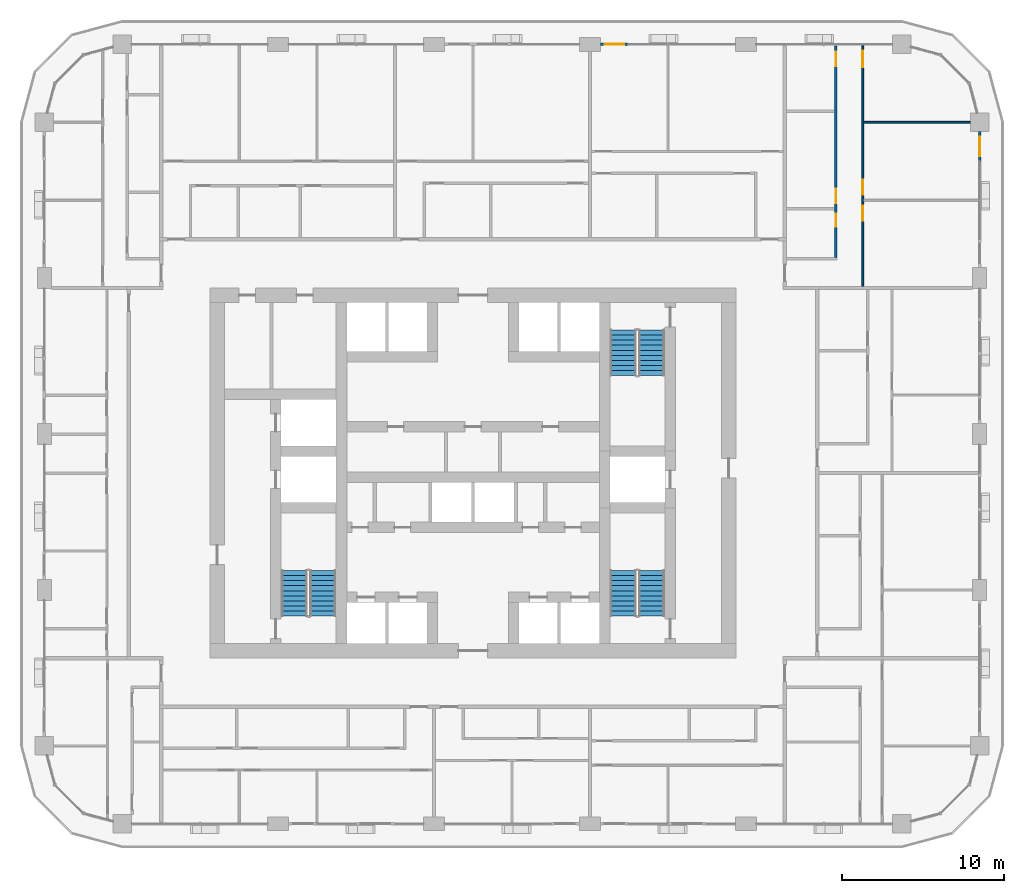
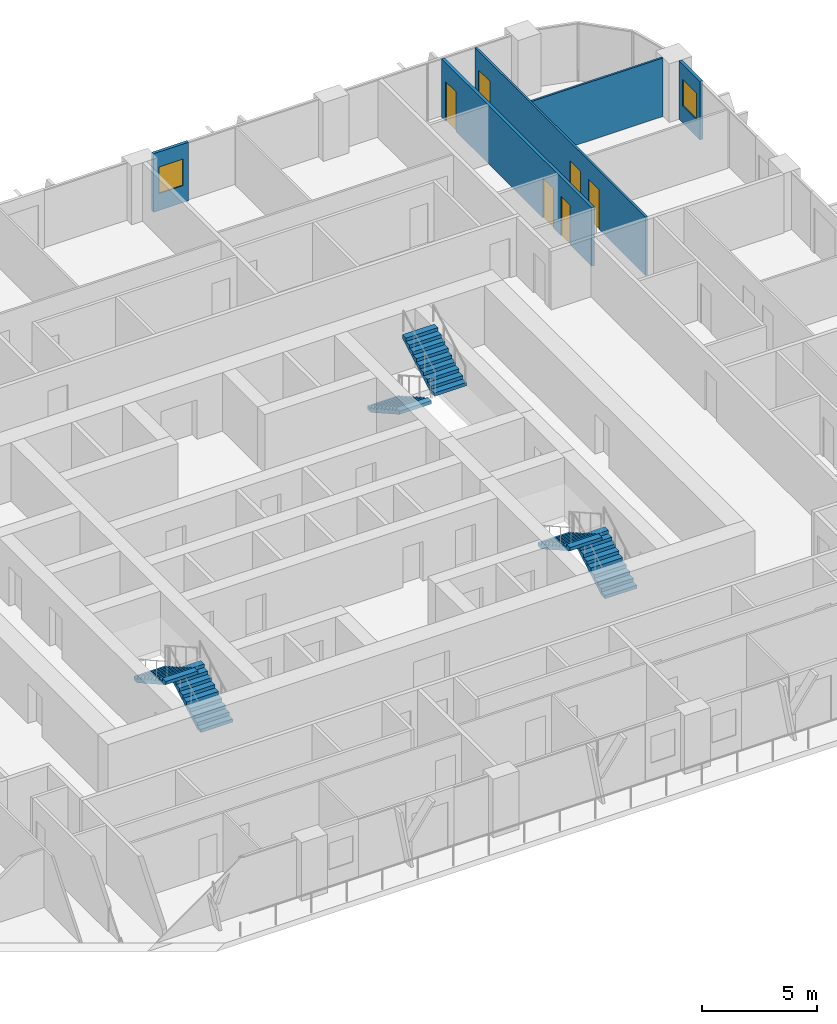
# One storey, part 15 of 21: 6 doors, 6 stair flights, 5 walls, 2 windows, 8 openings, 3 elements without a shape of their own.
"""IFC4 building model written with IfcOpenShell, lengths in metres."""

from ifc_helpers import new_model, si_unit, direction, frame, frame_2d, origin, place, context, subcontext, project, spatial, polyline, rectangle, outline, extrude, material, layer, layer_set, type_object, element, fill, aggregate, save


model = new_model("IFC4")

# Units and contexts
model_context = context("Model", 3, precision=1e-05, world=origin(), true_north=direction((0.0, 1.0)))
body_context = subcontext(model_context, "Body", "Model", "MODEL_VIEW")
ifc_project = project(units=[si_unit("LENGTHUNIT", "METRE"), si_unit("AREAUNIT", "SQUARE_METRE"), si_unit("VOLUMEUNIT", "CUBIC_METRE"), si_unit("PLANEANGLEUNIT", "RADIAN"), si_unit("MASSUNIT", "GRAM", prefix="KILO")], contexts=[model_context])

# Site, building, storey
site_placement = place(None, origin())
site = spatial("IfcSite", under=ifc_project, at=site_placement, CompositionType="ELEMENT")
building_placement = place(site_placement, origin())
building = spatial("IfcBuilding", under=site, at=building_placement, Name="Madar Terraces", CompositionType="ELEMENT")
storey_placement = place(building_placement, frame((0.0, 0.0, 110.199951171875)))
storey = spatial("IfcBuildingStorey", under=building, at=storey_placement, Name="L28", CompositionType="ELEMENT", Elevation=110.199951171875)

# Wall, opening, window
ifc_material_1 = material(Name="Aluminium composite panel, black, over insulated backing", Category="aluminium")
ifc_layer_1 = layer(ifc_material_1, 0.14990234375)
ifc_layer_set_1 = layer_set([ifc_layer_1], Name="Facade bay panel 150")
wall_type_1 = type_object("IfcWallType", Name="Facade bay panel 150", PredefinedType="SOLIDWALL", material=ifc_layer_set_1)
wall_1_placement = place(storey_placement, frame((62.39990234375, 45.60009765625, 0.0), z_axis=(0.0, 0.0, 1.0), x_axis=(0.0, 1.0, 0.0)))
wall_1 = element("IfcWall", 1, at=wall_1_placement, inside=storey, type_object=wall_type_1, Name="Facade bay panel", PredefinedType="SOLIDWALL", context=body_context, shape_type="SweptSolid", body=[
    extrude(rectangle(XDim=1.824951171875, YDim=0.14990234375, at=frame_2d((0.91259765625, 0.0))), origin(), (0.0, 0.0, 1.0), 3.10009765625),
])
opening_1_placement = place(wall_1_placement, frame((0.3125, 0.0, 0.89990234375)))
opening_1 = element("IfcOpeningElement", 2, at=opening_1_placement, cuts=wall_1, Name="Opening W1", PredefinedType="OPENING", context=body_context, shape_type="SweptSolid", body=[
    extrude(rectangle(XDim=1.199951171875, YDim=1.39990234375, at=frame_2d((0.60009765625, 0.699951171875))), frame((0.0, 0.0849609375, 0.0), z_axis=(0.0, -1.0, 0.0), x_axis=(1.0, 0.0, 0.0)), (0.0, 0.0, 1.0), 0.169921875),
])
ifc_material_2 = material(Name="Glass, clear, with black aluminium frame", Category="aluminium")
window_type = type_object("IfcWindowType", Name="Vent window 1200 x 1400", PartitioningType="SINGLE_PANEL", PredefinedType="WINDOW", material=ifc_material_2)
window_1_placement = place(opening_1_placement, origin())
window_1 = element("IfcWindow", 3, at=window_1_placement, inside=storey, type_object=window_type, Name="Operable vent window", OverallHeight=1.39990234375, OverallWidth=1.199951171875, PartitioningType="SINGLE_PANEL", PredefinedType="WINDOW", context=body_context, shape_type="SweptSolid", body=[
    extrude(rectangle(XDim=1.199951171875, YDim=1.39990234375, at=frame_2d((0.60009765625, 0.699951171875))), frame((0.0, 0.030029296875, 0.0), z_axis=(0.0, -1.0, 0.0), x_axis=(1.0, 0.0, 0.0)), (0.0, 0.0, 1.0), 0.06005859375),
])
fill(opening_1, window_1)

wall_2_placement = place(storey_placement, frame((40.800048828125, 52.800048828125, 0.0), z_axis=(0.0, 0.0, 1.0), x_axis=(-1.0, 0.0, 0.0)))
wall_2 = element("IfcWall", 4, at=wall_2_placement, inside=storey, type_object=wall_type_1, Name="Facade bay panel", PredefinedType="SOLIDWALL", context=body_context, shape_type="SweptSolid", body=[
    extrude(rectangle(XDim=1.75, YDim=0.14990234375, at=frame_2d((0.875, 0.0))), origin(), (0.0, 0.0, 1.0), 3.10009765625),
])
opening_2_placement = place(wall_2_placement, frame((0.27490234375, 0.0, 0.89990234375)))
opening_2 = element("IfcOpeningElement", 5, at=opening_2_placement, cuts=wall_2, Name="Opening W1", PredefinedType="OPENING", context=body_context, shape_type="SweptSolid", body=[
    extrude(rectangle(XDim=1.199951171875, YDim=1.39990234375, at=frame_2d((0.60009765625, 0.699951171875))), frame((0.0, 0.0849609375, 0.0), z_axis=(0.0, -1.0, 0.0), x_axis=(1.0, 0.0, 0.0)), (0.0, 0.0, 1.0), 0.169921875),
])
window_2_placement = place(opening_2_placement, origin())
window_2 = element("IfcWindow", 6, at=window_2_placement, inside=storey, type_object=window_type, Name="Operable vent window", OverallHeight=1.39990234375, OverallWidth=1.199951171875, PartitioningType="SINGLE_PANEL", PredefinedType="WINDOW", context=body_context, shape_type="SweptSolid", body=[
    extrude(rectangle(XDim=1.199951171875, YDim=1.39990234375, at=frame_2d((0.60009765625, 0.699951171875))), frame((0.0, 0.030029296875, 0.0), z_axis=(0.0, -1.0, 0.0), x_axis=(1.0, 0.0, 0.0)), (0.0, 0.0, 1.0), 0.06005859375),
])
fill(opening_2, window_2)

# Wall
ifc_material_3 = material(Name="Gypsum board on steel studs", Category="steel")
ifc_layer_2 = layer(ifc_material_3, 0.10009765625)
ifc_layer_set_2 = layer_set([ifc_layer_2], Name="Flat partition 100")
wall_type_2 = type_object("IfcWallType", Name="Flat partition 100", PredefinedType="PARTITIONING", material=ifc_layer_set_2)
wall_3_placement = place(storey_placement, frame((55.25, 48.0, 0.0), z_axis=(0.0, 0.0, 1.0), x_axis=(1.0, 0.0, 0.0)))
element("IfcWall", 7, at=wall_3_placement, inside=storey, type_object=wall_type_2, Name="Flat partition 100", PredefinedType="PARTITIONING", context=body_context, shape_type="SweptSolid", body=[
    extrude(rectangle(XDim=6.574951171875, YDim=0.10009765625, at=frame_2d((3.28759765625, 0.0))), origin(), (0.0, 0.0, 1.0), 3.10009765625),
])

# Wall, openings, doors
wall_4_placement = place(storey_placement, frame((55.199951171875, 52.699951171875, 0.0), z_axis=(0.0, 0.0, 1.0), x_axis=(0.0, -1.0, 0.0)))
wall_4 = element("IfcWall", 8, at=wall_4_placement, inside=storey, type_object=wall_type_2, Name="Flat partition 100", PredefinedType="PARTITIONING", context=body_context, shape_type="SweptSolid", body=[
    extrude(rectangle(XDim=14.800048828125, YDim=0.10009765625, at=frame_2d((7.39990234375, 0.0))), origin(), (0.0, 0.0, 1.0), 3.10009765625),
])
opening_3_placement = place(wall_4_placement, frame((9.85009765625, 0.0, 0.0)))
opening_3 = element("IfcOpeningElement", 9, at=opening_3_placement, cuts=wall_4, Name="Opening D2", PredefinedType="OPENING", context=body_context, shape_type="SweptSolid", body=[
    extrude(rectangle(XDim=0.89990234375, YDim=2.10009765625, at=frame_2d((0.449951171875, 1.050048828125))), frame((0.0, 0.06005859375, 0.0), z_axis=(0.0, -1.0, 0.0), x_axis=(1.0, 0.0, 0.0)), (0.0, 0.0, 1.0), 0.1201171875),
])
opening_4_placement = place(wall_4_placement, frame((8.25, 0.0, 0.0)))
opening_4 = element("IfcOpeningElement", 10, at=opening_4_placement, cuts=wall_4, Name="Opening D2", PredefinedType="OPENING", context=body_context, shape_type="SweptSolid", body=[
    extrude(rectangle(XDim=0.89990234375, YDim=2.10009765625, at=frame_2d((0.449951171875, 1.050048828125))), frame((0.0, 0.06005859375, 0.0), z_axis=(0.0, -1.0, 0.0), x_axis=(1.0, 0.0, 0.0)), (0.0, 0.0, 1.0), 0.1201171875),
])
opening_5_placement = place(wall_4_placement, frame((0.300048828125, 0.0, 0.0)))
opening_5 = element("IfcOpeningElement", 11, at=opening_5_placement, cuts=wall_4, Name="Opening D3", PredefinedType="OPENING", context=body_context, shape_type="SweptSolid", body=[
    extrude(rectangle(XDim=1.0, YDim=2.10009765625, at=frame_2d((0.5, 1.050048828125))), frame((0.0, 0.06005859375, 0.0), z_axis=(0.0, -1.0, 0.0), x_axis=(1.0, 0.0, 0.0)), (0.0, 0.0, 1.0), 0.1201171875),
])
ifc_material_4 = material(Name="Timber door leaf", Category="wood")
door_type_1 = type_object("IfcDoorType", Name="Flat living room door 1000", OperationType="NOTDEFINED", PredefinedType="DOOR", material=ifc_material_4)
door_1_placement = place(opening_5_placement, origin())
door_1 = element("IfcDoor", 12, at=door_1_placement, inside=storey, type_object=door_type_1, Name="Flat living room door 1000", OperationType="SINGLE_SWING_LEFT", OverallHeight=2.10009765625, OverallWidth=1.0, PredefinedType="DOOR", context=body_context, shape_type="SweptSolid", body=[
    extrude(rectangle(XDim=1.0, YDim=2.10009765625, at=frame_2d((0.5, 1.050048828125))), frame((0.0, 0.02490234375, 0.0), z_axis=(0.0, -1.0, 0.0), x_axis=(1.0, 0.0, 0.0)), (0.0, 0.0, 1.0), 0.050048828125),
])
fill(opening_5, door_1)
ifc_material_5 = material(Name="Timber door leaf", Category="wood")
door_type_2 = type_object("IfcDoorType", Name="Flat room door 900", OperationType="NOTDEFINED", PredefinedType="DOOR", material=ifc_material_5)
door_2_placement = place(opening_3_placement, origin())
door_2 = element("IfcDoor", 13, at=door_2_placement, inside=storey, type_object=door_type_2, Name="Flat room door 900", OperationType="SINGLE_SWING_LEFT", OverallHeight=2.10009765625, OverallWidth=0.89990234375, PredefinedType="DOOR", context=body_context, shape_type="SweptSolid", body=[
    extrude(rectangle(XDim=0.89990234375, YDim=2.10009765625, at=frame_2d((0.449951171875, 1.050048828125))), frame((0.0, 0.02490234375, 0.0), z_axis=(0.0, -1.0, 0.0), x_axis=(1.0, 0.0, 0.0)), (0.0, 0.0, 1.0), 0.050048828125),
])
fill(opening_3, door_2)
door_3_placement = place(opening_4_placement, origin())
door_3 = element("IfcDoor", 14, at=door_3_placement, inside=storey, type_object=door_type_2, Name="Flat room door 900", OperationType="SINGLE_SWING_RIGHT", OverallHeight=2.10009765625, OverallWidth=0.89990234375, PredefinedType="DOOR", context=body_context, shape_type="SweptSolid", body=[
    extrude(rectangle(XDim=0.89990234375, YDim=2.10009765625, at=frame_2d((0.449951171875, 1.050048828125))), frame((0.0, 0.02490234375, 0.0), z_axis=(0.0, -1.0, 0.0), x_axis=(1.0, 0.0, 0.0)), (0.0, 0.0, 1.0), 0.050048828125),
])
fill(opening_4, door_3)

ifc_material_6 = material(Name="Lightweight blockwork", Category="masonry")
ifc_layer_3 = layer(ifc_material_6, 0.14990234375)
ifc_layer_set_3 = layer_set([ifc_layer_3], Name="Flat wet-room partition 150")
wall_type_3 = type_object("IfcWallType", Name="Flat wet-room partition 150", PredefinedType="PARTITIONING", material=ifc_layer_set_3)
wall_5_placement = place(storey_placement, frame((53.550048828125, 39.675048828125, 0.0), z_axis=(0.0, 0.0, 1.0), x_axis=(0.0, 1.0, 0.0)))
wall_5 = element("IfcWall", 15, at=wall_5_placement, inside=storey, type_object=wall_type_3, Name="Flat wet-room partition 150", PredefinedType="PARTITIONING", context=body_context, shape_type="SweptSolid", body=[
    extrude(rectangle(XDim=13.02490234375, YDim=0.14990234375, at=frame_2d((6.512451171875, 0.0))), origin(), (0.0, 0.0, 1.0), 3.10009765625),
])
opening_6_placement = place(wall_5_placement, frame((1.880859375, 0.0, 0.0)))
opening_6 = element("IfcOpeningElement", 16, at=opening_6_placement, cuts=wall_5, Name="Opening D4", PredefinedType="OPENING", context=body_context, shape_type="SweptSolid", body=[
    extrude(rectangle(XDim=0.800048828125, YDim=2.10009765625, at=frame_2d((0.39990234375, 1.050048828125))), frame((0.0, 0.0849609375, 0.0), z_axis=(0.0, -1.0, 0.0), x_axis=(1.0, 0.0, 0.0)), (0.0, 0.0, 1.0), 0.169921875),
])
opening_7_placement = place(wall_5_placement, frame((3.330810546875, 0.0, 0.0)))
opening_7 = element("IfcOpeningElement", 17, at=opening_7_placement, cuts=wall_5, Name="Opening D2", PredefinedType="OPENING", context=body_context, shape_type="SweptSolid", body=[
    extrude(rectangle(XDim=0.89990234375, YDim=2.10009765625, at=frame_2d((0.449951171875, 1.050048828125))), frame((0.0, 0.0849609375, 0.0), z_axis=(0.0, -1.0, 0.0), x_axis=(1.0, 0.0, 0.0)), (0.0, 0.0, 1.0), 0.169921875),
])
opening_8_placement = place(wall_5_placement, frame((11.77490234375, 0.0, 0.0)))
opening_8 = element("IfcOpeningElement", 18, at=opening_8_placement, cuts=wall_5, Name="Opening D5", PredefinedType="OPENING", context=body_context, shape_type="SweptSolid", body=[
    extrude(rectangle(XDim=0.89990234375, YDim=2.10009765625, at=frame_2d((0.449951171875, 1.050048828125))), frame((0.0, 0.0849609375, 0.0), z_axis=(0.0, -1.0, 0.0), x_axis=(1.0, 0.0, 0.0)), (0.0, 0.0, 1.0), 0.169921875),
])
ifc_material_7 = material(Name="Timber door leaf", Category="wood")
door_type_3 = type_object("IfcDoorType", Name="Flat accessible bathroom door 900", OperationType="NOTDEFINED", PredefinedType="DOOR", material=ifc_material_7)
door_4_placement = place(opening_8_placement, origin())
door_4 = element("IfcDoor", 19, at=door_4_placement, inside=storey, type_object=door_type_3, Name="Flat accessible bathroom door 900", OperationType="SINGLE_SWING_RIGHT", OverallHeight=2.10009765625, OverallWidth=0.89990234375, PredefinedType="DOOR", context=body_context, shape_type="SweptSolid", body=[
    extrude(rectangle(XDim=0.89990234375, YDim=2.10009765625, at=frame_2d((0.449951171875, 1.050048828125))), frame((0.0, 0.02490234375, 0.0), z_axis=(0.0, -1.0, 0.0), x_axis=(1.0, 0.0, 0.0)), (0.0, 0.0, 1.0), 0.050048828125),
])
fill(opening_8, door_4)
ifc_material_8 = material(Name="Timber door leaf", Category="wood")
door_type_4 = type_object("IfcDoorType", Name="Flat bathroom door 800", OperationType="NOTDEFINED", PredefinedType="DOOR", material=ifc_material_8)
door_5_placement = place(opening_6_placement, origin())
door_5 = element("IfcDoor", 20, at=door_5_placement, inside=storey, type_object=door_type_4, Name="Flat bathroom door 800", OperationType="SINGLE_SWING_RIGHT", OverallHeight=2.10009765625, OverallWidth=0.800048828125, PredefinedType="DOOR", context=body_context, shape_type="SweptSolid", body=[
    extrude(rectangle(XDim=0.800048828125, YDim=2.10009765625, at=frame_2d((0.39990234375, 1.050048828125))), frame((0.0, 0.02490234375, 0.0), z_axis=(0.0, -1.0, 0.0), x_axis=(1.0, 0.0, 0.0)), (0.0, 0.0, 1.0), 0.050048828125),
])
fill(opening_6, door_5)
door_6_placement = place(opening_7_placement, origin())
door_6 = element("IfcDoor", 21, at=door_6_placement, inside=storey, type_object=door_type_2, Name="Flat room door 900", OperationType="SINGLE_SWING_LEFT", OverallHeight=2.10009765625, OverallWidth=0.89990234375, PredefinedType="DOOR", context=body_context, shape_type="SweptSolid", body=[
    extrude(rectangle(XDim=0.89990234375, YDim=2.10009765625, at=frame_2d((0.449951171875, 1.050048828125))), frame((0.0, 0.02490234375, 0.0), z_axis=(0.0, -1.0, 0.0), x_axis=(1.0, 0.0, 0.0)), (0.0, 0.0, 1.0), 0.050048828125),
])
fill(opening_7, door_6)

# Stair, stair flights
ifc_material_9 = material(Name="Concrete C50/60", Category="concrete")
stair_type_1 = type_object("IfcStairType", Name="Stair ST1 protected exit", PredefinedType="HALF_TURN_STAIR", material=ifc_material_9)
stair_1_placement = place(storey_placement, origin())
stair_1 = element("IfcStair", 22, at=stair_1_placement, inside=storey, type_object=stair_type_1, Name="L28 Protected Exit Stair ST1", PredefinedType="HALF_TURN_STAIR")
ifc_material_10 = material(Name="Concrete C50/60", Category="concrete")
stair_flight_type_1 = type_object("IfcStairFlightType", Name="Stair flight ST1-F4, 1600 wide, 10 risers", PredefinedType="STRAIGHT", material=ifc_material_10)
stair_flight_1_placement = place(storey_placement, frame((21.949951171875, 17.60009765625, 0.0), z_axis=(0.0, 0.0, 1.0), x_axis=(0.0, 1.0, 0.0)))
stair_flight_1 = element("IfcStairFlight", 23, at=stair_flight_1_placement, type_object=stair_flight_type_1, Name="ST1 flight 1", NumberOfRisers=10, NumberOfTreads=9, PredefinedType="STRAIGHT", RiserHeight=0.175, TreadLength=0.31, context=body_context, shape_type="SweptSolid", body=[
    extrude(outline(polyline([(0.0, 0.0), (0.0, 0.175048828125), (0.31005859375, 0.175048828125), (0.31005859375, 0.35009765625), (0.6201171875, 0.35009765625), (0.6201171875, 0.52490234375), (0.929931640625, 0.52490234375), (0.929931640625, 0.699951171875), (1.239990234375, 0.699951171875), (1.239990234375, 0.875), (1.550048828125, 0.875), (1.550048828125, 1.050048828125), (1.860107421875, 1.050048828125), (1.860107421875, 1.22509765625), (2.169921875, 1.22509765625), (2.169921875, 1.39990234375), (2.47998046875, 1.39990234375), (2.47998046875, 1.574951171875), (2.7900390625, 1.574951171875), (2.7900390625, 1.75), (2.7900390625, 1.40283203125), (0.304931640625, 0.0), (0.0, 0.0)])), frame((0.0, 0.800048828125, 0.0), z_axis=(0.0, -1.0, 0.0), x_axis=(1.0, 0.0, 0.0)), (0.0, 0.0, 1.0), 1.60009765625),
])
stair_flight_2_placement = place(storey_placement, frame((20.199951171875, 20.389892578125, 1.75), z_axis=(0.0, 0.0, 1.0), x_axis=(0.0, -1.0, 0.0)))
stair_flight_2 = element("IfcStairFlight", 24, at=stair_flight_2_placement, type_object=stair_flight_type_1, Name="ST1 flight 2", NumberOfRisers=10, NumberOfTreads=9, PredefinedType="STRAIGHT", RiserHeight=0.175, TreadLength=0.31, context=body_context, shape_type="SweptSolid", body=[
    extrude(outline(polyline([(0.0, 0.0), (0.0, 0.175048828125), (0.31005859375, 0.175048828125), (0.31005859375, 0.35009765625), (0.6201171875, 0.35009765625), (0.6201171875, 0.52490234375), (0.929931640625, 0.52490234375), (0.929931640625, 0.699951171875), (1.239990234375, 0.699951171875), (1.239990234375, 0.875), (1.550048828125, 0.875), (1.550048828125, 1.050048828125), (1.860107421875, 1.050048828125), (1.860107421875, 1.22509765625), (2.169921875, 1.22509765625), (2.169921875, 1.39990234375), (2.47998046875, 1.39990234375), (2.47998046875, 1.574951171875), (2.7900390625, 1.574951171875), (2.7900390625, 1.75), (2.7900390625, 1.40283203125), (0.304931640625, 0.0), (0.0, 0.0)])), frame((0.0, 0.800048828125, 0.0), z_axis=(0.0, -1.0, 0.0), x_axis=(1.0, 0.0, 0.0)), (0.0, 0.0, 1.0), 1.60009765625),
])
aggregate(stair_1, [stair_flight_1, stair_flight_2])

ifc_material_11 = material(Name="Concrete C50/60", Category="concrete")
stair_type_2 = type_object("IfcStairType", Name="Stair ST2 protected exit", PredefinedType="HALF_TURN_STAIR", material=ifc_material_11)
stair_2_placement = place(storey_placement, origin())
stair_2 = element("IfcStair", 25, at=stair_2_placement, inside=storey, type_object=stair_type_2, Name="L28 Protected Exit Stair ST2", PredefinedType="HALF_TURN_STAIR")
ifc_material_12 = material(Name="Concrete C50/60", Category="concrete")
stair_flight_type_2 = type_object("IfcStairFlightType", Name="Stair flight ST2-F4, 1600 wide, 10 risers", PredefinedType="STRAIGHT", material=ifc_material_12)
stair_flight_3_placement = place(storey_placement, frame((40.449951171875, 35.199951171875, 0.0), z_axis=(0.0, 0.0, 1.0), x_axis=(0.0, -1.0, 0.0)))
stair_flight_3 = element("IfcStairFlight", 26, at=stair_flight_3_placement, type_object=stair_flight_type_2, Name="ST2 flight 1", NumberOfRisers=10, NumberOfTreads=9, PredefinedType="STRAIGHT", RiserHeight=0.175, TreadLength=0.31, context=body_context, shape_type="SweptSolid", body=[
    extrude(outline(polyline([(0.0, 0.0), (0.0, 0.175048828125), (0.31005859375, 0.175048828125), (0.31005859375, 0.35009765625), (0.6201171875, 0.35009765625), (0.6201171875, 0.52490234375), (0.929931640625, 0.52490234375), (0.929931640625, 0.699951171875), (1.239990234375, 0.699951171875), (1.239990234375, 0.875), (1.550048828125, 0.875), (1.550048828125, 1.050048828125), (1.860107421875, 1.050048828125), (1.860107421875, 1.22509765625), (2.169921875, 1.22509765625), (2.169921875, 1.39990234375), (2.47998046875, 1.39990234375), (2.47998046875, 1.574951171875), (2.7900390625, 1.574951171875), (2.7900390625, 1.75), (2.7900390625, 1.40283203125), (0.304931640625, 0.0), (0.0, 0.0)])), frame((0.0, 0.800048828125, 0.0), z_axis=(0.0, -1.0, 0.0), x_axis=(1.0, 0.0, 0.0)), (0.0, 0.0, 1.0), 1.60009765625),
])
stair_flight_4_placement = place(storey_placement, frame((42.199951171875, 32.409912109375, 1.75), z_axis=(0.0, 0.0, 1.0), x_axis=(0.0, 1.0, 0.0)))
stair_flight_4 = element("IfcStairFlight", 27, at=stair_flight_4_placement, type_object=stair_flight_type_2, Name="ST2 flight 2", NumberOfRisers=10, NumberOfTreads=9, PredefinedType="STRAIGHT", RiserHeight=0.175, TreadLength=0.31, context=body_context, shape_type="SweptSolid", body=[
    extrude(outline(polyline([(0.0, 0.0), (0.0, 0.175048828125), (0.31005859375, 0.175048828125), (0.31005859375, 0.35009765625), (0.6201171875, 0.35009765625), (0.6201171875, 0.52490234375), (0.929931640625, 0.52490234375), (0.929931640625, 0.699951171875), (1.239990234375, 0.699951171875), (1.239990234375, 0.875), (1.550048828125, 0.875), (1.550048828125, 1.050048828125), (1.860107421875, 1.050048828125), (1.860107421875, 1.22509765625), (2.169921875, 1.22509765625), (2.169921875, 1.39990234375), (2.47998046875, 1.39990234375), (2.47998046875, 1.574951171875), (2.7900390625, 1.574951171875), (2.7900390625, 1.75), (2.7900390625, 1.40283203125), (0.304931640625, 0.0), (0.0, 0.0)])), frame((0.0, 0.800048828125, 0.0), z_axis=(0.0, -1.0, 0.0), x_axis=(1.0, 0.0, 0.0)), (0.0, 0.0, 1.0), 1.60009765625),
])
aggregate(stair_2, [stair_flight_3, stair_flight_4])

ifc_material_13 = material(Name="Concrete C50/60", Category="concrete")
stair_type_3 = type_object("IfcStairType", Name="Stair ST3 protected exit", PredefinedType="HALF_TURN_STAIR", material=ifc_material_13)
stair_3_placement = place(storey_placement, origin())
stair_3 = element("IfcStair", 28, at=stair_3_placement, inside=storey, type_object=stair_type_3, Name="L28 Protected Exit Stair ST3", PredefinedType="HALF_TURN_STAIR")
ifc_material_14 = material(Name="Concrete C50/60", Category="concrete")
stair_flight_type_3 = type_object("IfcStairFlightType", Name="Stair flight ST3-F4, 1600 wide, 10 risers", PredefinedType="STRAIGHT", material=ifc_material_14)
stair_flight_5_placement = place(storey_placement, frame((42.199951171875, 17.60009765625, 0.0), z_axis=(0.0, 0.0, 1.0), x_axis=(0.0, 1.0, 0.0)))
stair_flight_5 = element("IfcStairFlight", 29, at=stair_flight_5_placement, type_object=stair_flight_type_3, Name="ST3 flight 1", NumberOfRisers=10, NumberOfTreads=9, PredefinedType="STRAIGHT", RiserHeight=0.175, TreadLength=0.31, context=body_context, shape_type="SweptSolid", body=[
    extrude(outline(polyline([(0.0, 0.0), (0.0, 0.175048828125), (0.31005859375, 0.175048828125), (0.31005859375, 0.35009765625), (0.6201171875, 0.35009765625), (0.6201171875, 0.52490234375), (0.929931640625, 0.52490234375), (0.929931640625, 0.699951171875), (1.239990234375, 0.699951171875), (1.239990234375, 0.875), (1.550048828125, 0.875), (1.550048828125, 1.050048828125), (1.860107421875, 1.050048828125), (1.860107421875, 1.22509765625), (2.169921875, 1.22509765625), (2.169921875, 1.39990234375), (2.47998046875, 1.39990234375), (2.47998046875, 1.574951171875), (2.7900390625, 1.574951171875), (2.7900390625, 1.75), (2.7900390625, 1.40283203125), (0.304931640625, 0.0), (0.0, 0.0)])), frame((0.0, 0.800048828125, 0.0), z_axis=(0.0, -1.0, 0.0), x_axis=(1.0, 0.0, 0.0)), (0.0, 0.0, 1.0), 1.60009765625),
])
stair_flight_6_placement = place(storey_placement, frame((40.449951171875, 20.389892578125, 1.75), z_axis=(0.0, 0.0, 1.0), x_axis=(0.0, -1.0, 0.0)))
stair_flight_6 = element("IfcStairFlight", 30, at=stair_flight_6_placement, type_object=stair_flight_type_3, Name="ST3 flight 2", NumberOfRisers=10, NumberOfTreads=9, PredefinedType="STRAIGHT", RiserHeight=0.175, TreadLength=0.31, context=body_context, shape_type="SweptSolid", body=[
    extrude(outline(polyline([(0.0, 0.0), (0.0, 0.175048828125), (0.31005859375, 0.175048828125), (0.31005859375, 0.35009765625), (0.6201171875, 0.35009765625), (0.6201171875, 0.52490234375), (0.929931640625, 0.52490234375), (0.929931640625, 0.699951171875), (1.239990234375, 0.699951171875), (1.239990234375, 0.875), (1.550048828125, 0.875), (1.550048828125, 1.050048828125), (1.860107421875, 1.050048828125), (1.860107421875, 1.22509765625), (2.169921875, 1.22509765625), (2.169921875, 1.39990234375), (2.47998046875, 1.39990234375), (2.47998046875, 1.574951171875), (2.7900390625, 1.574951171875), (2.7900390625, 1.75), (2.7900390625, 1.40283203125), (0.304931640625, 0.0), (0.0, 0.0)])), frame((0.0, 0.800048828125, 0.0), z_axis=(0.0, -1.0, 0.0), x_axis=(1.0, 0.0, 0.0)), (0.0, 0.0, 1.0), 1.60009765625),
])
aggregate(stair_3, [stair_flight_5, stair_flight_6])

save(model, "model.ifc")
